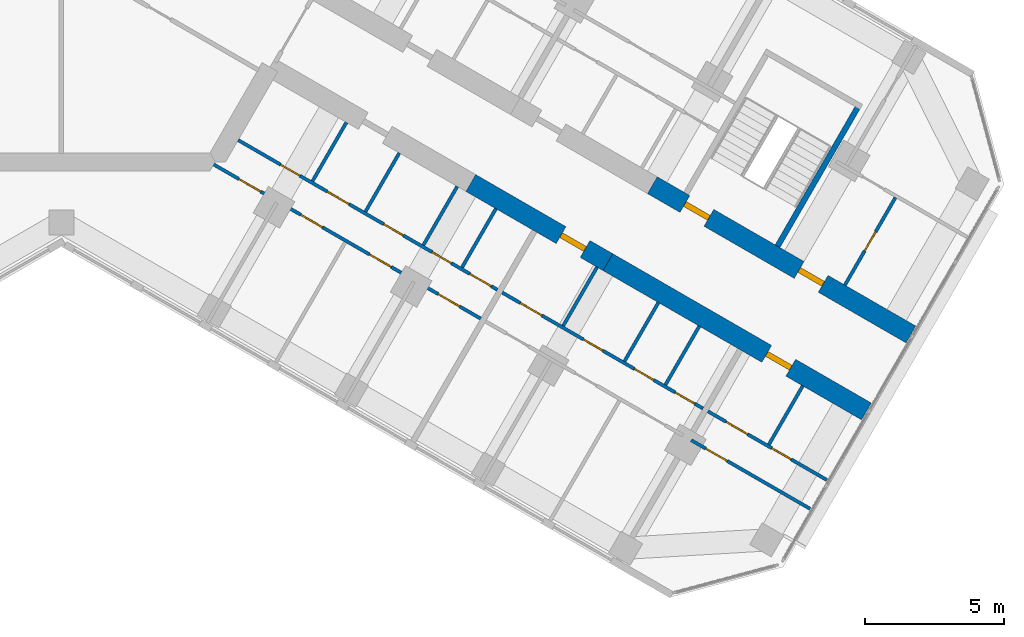
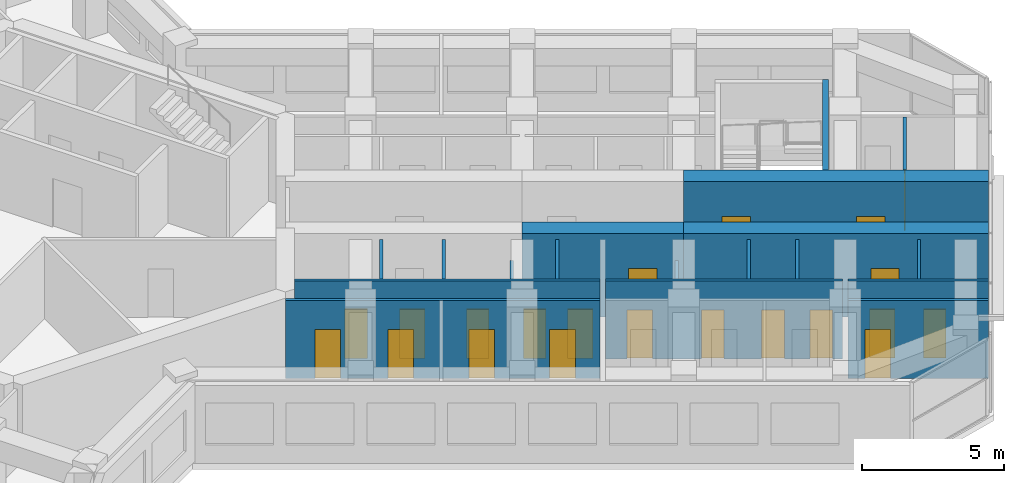
# One storey, part 11 of 16: 21 doors, 18 walls, 21 openings.
"""IFC4 building model written with IfcOpenShell, lengths in metres."""

from ifc_helpers import new_model, si_unit, direction, frame, frame_2d, origin, place, context, subcontext, project, spatial, rectangle, extrude, material, layer, layer_set, type_object, element, fill, save


model = new_model("IFC4")

# Units and contexts
model_context = context("Model", 3, precision=1e-05, world=origin(), true_north=direction((0.0, 1.0)))
body_context = subcontext(model_context, "Body", "Model", "MODEL_VIEW")
ifc_project = project(units=[si_unit("LENGTHUNIT", "METRE"), si_unit("AREAUNIT", "SQUARE_METRE"), si_unit("VOLUMEUNIT", "CUBIC_METRE"), si_unit("PLANEANGLEUNIT", "RADIAN"), si_unit("MASSUNIT", "GRAM", prefix="KILO")], contexts=[model_context])

# Site, building, storey
site_placement = place(None, origin())
site = spatial("IfcSite", under=ifc_project, at=site_placement, CompositionType="ELEMENT")
building_placement = place(site_placement, origin())
building = spatial("IfcBuilding", under=site, at=building_placement, Name="Kosmar Iwan School Tower", CompositionType="ELEMENT")
storey_placement = place(building_placement, frame((0.0, 0.0, 211.800048828125)))
storey = spatial("IfcBuildingStorey", under=building, at=storey_placement, Name="L53", CompositionType="ELEMENT", Elevation=211.800048828125)

# Wall, openings, doors
ifc_material_1 = material(Name="Concrete C50/60", Category="concrete")
ifc_layer_1 = layer(ifc_material_1, 0.699951171875)
ifc_layer_set_1 = layer_set([ifc_layer_1], Name="Corridor buttress wall 700")
wall_type_1 = type_object("IfcWallType", Name="Corridor buttress wall 700", PredefinedType="SHEAR", material=ifc_layer_set_1)
wall_1_placement = place(storey_placement, frame((21.281494140625, -10.439453125, 0.0), z_axis=(0.0, 0.0, 1.0), x_axis=(0.866032345022, -0.499987977232, 0.0)))
wall_1 = element("IfcWall", 1, at=wall_1_placement, inside=storey, type_object=wall_type_1, Name="Corridor wall CL bay 3", PredefinedType="SHEAR", context=body_context, shape_type="SweptSolid", body=[
    extrude(rectangle(XDim=10.744873046875, YDim=0.699951171875, at=frame_2d((5.37255859375, 0.0))), origin(), (0.0, 0.0, 1.0), 3.599853515625),
])
opening_1_placement = place(wall_1_placement, frame((6.10009765625, 0.0, 0.0)))
opening_1 = element("IfcOpeningElement", 2, at=opening_1_placement, cuts=wall_1, Name="Opening D1", PredefinedType="OPENING", context=body_context, shape_type="SweptSolid", body=[
    extrude(rectangle(XDim=1.0, YDim=2.10009765625, at=frame_2d((0.5, 1.050048828125))), frame((0.0, 0.362060546875, 0.0), z_axis=(0.0, -1.0, 0.0), x_axis=(1.0, 0.0, 0.0)), (0.0, 0.0, 1.0), 0.723876953125),
])
opening_2_placement = place(wall_1_placement, frame((1.35009765625, 0.0, 0.0)))
opening_2 = element("IfcOpeningElement", 3, at=opening_2_placement, cuts=wall_1, Name="Opening D6", PredefinedType="OPENING", context=body_context, shape_type="SweptSolid", body=[
    extrude(rectangle(XDim=1.0, YDim=2.10009765625, at=frame_2d((0.5, 1.050048828125))), frame((0.0, 0.362060546875, 0.0), z_axis=(0.0, -1.0, 0.0), x_axis=(1.0, 0.0, 0.0)), (0.0, 0.0, 1.0), 0.723876953125),
])
ifc_material_2 = material(Name="Timber fire door in steel frame", Category="steel")
door_type_1 = type_object("IfcDoorType", Name="Flat entrance door 1000x2100", OperationType="SINGLE_SWING_LEFT", PredefinedType="DOOR", material=ifc_material_2)
door_1_placement = place(opening_1_placement, origin())
door_1 = element("IfcDoor", 4, at=door_1_placement, inside=storey, type_object=door_type_1, Name="Flat L53-CL3 entrance door", OperationType="SINGLE_SWING_RIGHT", OverallHeight=2.10009765625, OverallWidth=1.0, PredefinedType="DOOR", context=body_context, shape_type="SweptSolid", body=[
    extrude(rectangle(XDim=1.0, YDim=2.10009765625, at=frame_2d((0.5, 1.050048828125))), frame((0.0, 0.10009765625, 0.0), z_axis=(0.0, -1.0, 0.0), x_axis=(1.0, 0.0, 0.0)), (0.0, 0.0, 1.0), 0.199951171875),
])
fill(opening_1, door_1)
ifc_material_3 = material(Name="Steel fire door", Category="steel")
door_type_2 = type_object("IfcDoorType", Name="Stair door 1000x2100", OperationType="SINGLE_SWING_LEFT", PredefinedType="DOOR", material=ifc_material_3)
door_2_placement = place(opening_2_placement, origin())
door_2 = element("IfcDoor", 5, at=door_2_placement, inside=storey, type_object=door_type_2, Name="Stair WS3 door L53", OperationType="SINGLE_SWING_LEFT", OverallHeight=2.10009765625, OverallWidth=1.0, PredefinedType="DOOR", context=body_context, shape_type="SweptSolid", body=[
    extrude(rectangle(XDim=1.0, YDim=2.10009765625, at=frame_2d((0.5, 1.050048828125))), frame((0.0, 0.10009765625, 0.0), z_axis=(0.0, -1.0, 0.0), x_axis=(1.0, 0.0, 0.0)), (0.0, 0.0, 1.0), 0.199951171875),
])
fill(opening_2, door_2)

# Wall, opening, door
wall_2_placement = place(storey_placement, frame((14.7451171875, -10.360595703125, 0.0), z_axis=(0.0, 0.0, 1.0), x_axis=(0.866015111908, -0.50001782563, 0.0)))
wall_2 = element("IfcWall", 6, at=wall_2_placement, inside=storey, type_object=wall_type_1, Name="Corridor wall CR bay 2", PredefinedType="SHEAR", context=body_context, shape_type="SweptSolid", body=[
    extrude(rectangle(XDim=5.699951171875, YDim=0.699951171875, at=frame_2d((2.85009765625, 0.0))), origin(), (0.0, 0.0, 1.0), 3.599853515625),
])
opening_3_placement = place(wall_2_placement, frame((3.75, 0.0, 0.0)))
opening_3 = element("IfcOpeningElement", 7, at=opening_3_placement, cuts=wall_2, Name="Opening D1", PredefinedType="OPENING", context=body_context, shape_type="SweptSolid", body=[
    extrude(rectangle(XDim=1.0, YDim=2.10009765625, at=frame_2d((0.5, 1.050048828125))), frame((0.0, 0.362060546875, 0.0), z_axis=(0.0, -1.0, 0.0), x_axis=(1.0, 0.0, 0.0)), (0.0, 0.0, 1.0), 0.723876953125),
])
door_3_placement = place(opening_3_placement, origin())
door_3 = element("IfcDoor", 8, at=door_3_placement, inside=storey, type_object=door_type_1, Name="Flat L53-CR2 entrance door", OperationType="SINGLE_SWING_RIGHT", OverallHeight=2.10009765625, OverallWidth=1.0, PredefinedType="DOOR", context=body_context, shape_type="SweptSolid", body=[
    extrude(rectangle(XDim=1.0, YDim=2.10009765625, at=frame_2d((0.5, 1.050048828125))), frame((0.0, 0.10009765625, 0.0), z_axis=(0.0, -1.0, 0.0), x_axis=(1.0, 0.0, 0.0)), (0.0, 0.0, 1.0), 0.199951171875),
])
fill(opening_3, door_3)

wall_3_placement = place(storey_placement, frame((19.681396484375, -13.210693359375, 0.0), z_axis=(0.0, 0.0, 1.0), x_axis=(0.866028186671, -0.499995179869, 0.0)))
wall_3 = element("IfcWall", 9, at=wall_3_placement, inside=storey, type_object=wall_type_1, Name="Corridor wall CR bay 3", PredefinedType="SHEAR", context=body_context, shape_type="SweptSolid", body=[
    extrude(rectangle(XDim=10.7451171875, YDim=0.699951171875, at=frame_2d((5.37255859375, 0.0))), origin(), (0.0, 0.0, 1.0), 3.599853515625),
])
opening_4_placement = place(wall_3_placement, frame((6.60009765625, 0.0, 0.0)))
opening_4 = element("IfcOpeningElement", 10, at=opening_4_placement, cuts=wall_3, Name="Opening D1", PredefinedType="OPENING", context=body_context, shape_type="SweptSolid", body=[
    extrude(rectangle(XDim=1.0, YDim=2.10009765625, at=frame_2d((0.5, 1.050048828125))), frame((0.0, 0.362060546875, 0.0), z_axis=(0.0, -1.0, 0.0), x_axis=(1.0, 0.0, 0.0)), (0.0, 0.0, 1.0), 0.723876953125),
])
door_4_placement = place(opening_4_placement, origin())
door_4 = element("IfcDoor", 11, at=door_4_placement, inside=storey, type_object=door_type_1, Name="Flat L53-CR3 entrance door", OperationType="SINGLE_SWING_RIGHT", OverallHeight=2.10009765625, OverallWidth=1.0, PredefinedType="DOOR", context=body_context, shape_type="SweptSolid", body=[
    extrude(rectangle(XDim=1.0, YDim=2.10009765625, at=frame_2d((0.5, 1.050048828125))), frame((0.0, 0.10009765625, 0.0), z_axis=(0.0, -1.0, 0.0), x_axis=(1.0, 0.0, 0.0)), (0.0, 0.0, 1.0), 0.199951171875),
])
fill(opening_4, door_4)

ifc_material_4 = material(Name="Gypsum board on steel studs", Category="steel")
ifc_layer_2 = layer(ifc_material_4, 0.1201171875)
ifc_layer_set_2 = layer_set([ifc_layer_2], Name="Dwelling partition 120")
wall_type_2 = type_object("IfcWallType", Name="Dwelling partition 120", PredefinedType="PARTITIONING", material=ifc_layer_set_2)
wall_4_placement = place(storey_placement, frame((28.21142578125, -14.036376953125, 0.0), z_axis=(0.0, 0.0, 1.0), x_axis=(0.499983701346, 0.866034813612, 0.0)))
wall_4 = element("IfcWall", 12, at=wall_4_placement, inside=storey, type_object=wall_type_2, Name="Partition L53-CL3-TY", PredefinedType="PARTITIONING", context=body_context, shape_type="SweptSolid", body=[
    extrude(rectangle(XDim=3.64013671875, YDim=0.1201171875, at=frame_2d((1.820068359375, 0.0))), origin(), (0.0, 0.0, 1.0), 3.349853515625),
])
opening_5_placement = place(wall_4_placement, frame((1.419921875, 0.0, 0.0)))
opening_5 = element("IfcOpeningElement", 13, at=opening_5_placement, cuts=wall_4, Name="Opening D3", PredefinedType="OPENING", context=body_context, shape_type="SweptSolid", body=[
    extrude(rectangle(XDim=0.800048828125, YDim=2.10009765625, at=frame_2d((0.39990234375, 1.050048828125))), frame((0.0, 0.072021484375, 0.0), z_axis=(0.0, -1.0, 0.0), x_axis=(1.0, 0.0, 0.0)), (0.0, 0.0, 1.0), 0.14404296875),
])
ifc_material_5 = material(Name="Timber door in timber frame", Category="wood")
door_type_3 = type_object("IfcDoorType", Name="Sanitary room door 800x2100", OperationType="SINGLE_SWING_LEFT", PredefinedType="DOOR", material=ifc_material_5)
door_5_placement = place(opening_5_placement, origin())
door_5 = element("IfcDoor", 14, at=door_5_placement, inside=storey, type_object=door_type_3, Name="Bathroom door L53-CL3-T4", OperationType="SINGLE_SWING_LEFT", OverallHeight=2.10009765625, OverallWidth=0.800048828125, PredefinedType="DOOR", context=body_context, shape_type="SweptSolid", body=[
    extrude(rectangle(XDim=0.800048828125, YDim=2.10009765625, at=frame_2d((0.39990234375, 1.050048828125))), frame((0.0, 0.02490234375, 0.0), z_axis=(0.0, -1.0, 0.0), x_axis=(1.0, 0.0, 0.0)), (0.0, 0.0, 1.0), 0.050048828125),
])
fill(opening_5, door_5)

# Wall, openings, doors
wall_5_placement = place(storey_placement, frame((6.370361328125, -8.81640625, 0.0), z_axis=(0.0, 0.0, 1.0), x_axis=(0.86602446816, -0.500001620546, 0.0)))
wall_5 = element("IfcWall", 15, at=wall_5_placement, inside=storey, type_object=wall_type_2, Name="Partition L53-CR1-W1", PredefinedType="PARTITIONING", context=body_context, shape_type="SweptSolid", body=[
    extrude(rectangle(XDim=10.77490234375, YDim=0.1201171875, at=frame_2d((5.387451171875, 0.0))), origin(), (0.0, 0.0, 1.0), 3.349853515625),
])
opening_6_placement = place(wall_5_placement, frame((1.764892578125, 0.0, 0.0)))
opening_6 = element("IfcOpeningElement", 16, at=opening_6_placement, cuts=wall_5, Name="Opening D3", PredefinedType="OPENING", context=body_context, shape_type="SweptSolid", body=[
    extrude(rectangle(XDim=0.800048828125, YDim=2.10009765625, at=frame_2d((0.39990234375, 1.050048828125))), frame((0.0, 0.072021484375, 0.0), z_axis=(0.0, -1.0, 0.0), x_axis=(1.0, 0.0, 0.0)), (0.0, 0.0, 1.0), 0.14404296875),
])
opening_7_placement = place(wall_5_placement, frame((3.705078125, 0.0, 0.0)))
opening_7 = element("IfcOpeningElement", 17, at=opening_7_placement, cuts=wall_5, Name="Opening D2", PredefinedType="OPENING", context=body_context, shape_type="SweptSolid", body=[
    extrude(rectangle(XDim=0.89990234375, YDim=2.10009765625, at=frame_2d((0.449951171875, 1.050048828125))), frame((0.0, 0.072021484375, 0.0), z_axis=(0.0, -1.0, 0.0), x_axis=(1.0, 0.0, 0.0)), (0.0, 0.0, 1.0), 0.14404296875),
])
opening_8_placement = place(wall_5_placement, frame((6.059326171875, 0.0, 0.0)))
opening_8 = element("IfcOpeningElement", 18, at=opening_8_placement, cuts=wall_5, Name="Opening D3", PredefinedType="OPENING", context=body_context, shape_type="SweptSolid", body=[
    extrude(rectangle(XDim=0.800048828125, YDim=2.10009765625, at=frame_2d((0.39990234375, 1.050048828125))), frame((0.0, 0.072021484375, 0.0), z_axis=(0.0, -1.0, 0.0), x_axis=(1.0, 0.0, 0.0)), (0.0, 0.0, 1.0), 0.14404296875),
])
opening_9_placement = place(wall_5_placement, frame((8.06640625, 0.0, 0.0)))
opening_9 = element("IfcOpeningElement", 19, at=opening_9_placement, cuts=wall_5, Name="Opening D3", PredefinedType="OPENING", context=body_context, shape_type="SweptSolid", body=[
    extrude(rectangle(XDim=0.800048828125, YDim=2.10009765625, at=frame_2d((0.39990234375, 1.050048828125))), frame((0.0, 0.072021484375, 0.0), z_axis=(0.0, -1.0, 0.0), x_axis=(1.0, 0.0, 0.0)), (0.0, 0.0, 1.0), 0.14404296875),
])
opening_10_placement = place(wall_5_placement, frame((9.6220703125, 0.0, 0.0)))
opening_10 = element("IfcOpeningElement", 20, at=opening_10_placement, cuts=wall_5, Name="Opening D2", PredefinedType="OPENING", context=body_context, shape_type="SweptSolid", body=[
    extrude(rectangle(XDim=0.89990234375, YDim=2.10009765625, at=frame_2d((0.449951171875, 1.050048828125))), frame((0.0, 0.072021484375, 0.0), z_axis=(0.0, -1.0, 0.0), x_axis=(1.0, 0.0, 0.0)), (0.0, 0.0, 1.0), 0.14404296875),
])
ifc_material_6 = material(Name="Timber door in timber frame", Category="wood")
door_type_4 = type_object("IfcDoorType", Name="Internal door 900x2100", OperationType="SINGLE_SWING_LEFT", PredefinedType="DOOR", material=ifc_material_6)
door_6_placement = place(opening_7_placement, origin())
door_6 = element("IfcDoor", 21, at=door_6_placement, inside=storey, type_object=door_type_4, Name="Entrance hall door L53-CR1-S2", OperationType="SINGLE_SWING_RIGHT", OverallHeight=2.10009765625, OverallWidth=0.89990234375, PredefinedType="DOOR", context=body_context, shape_type="SweptSolid", body=[
    extrude(rectangle(XDim=0.89990234375, YDim=2.10009765625, at=frame_2d((0.449951171875, 1.050048828125))), frame((0.0, 0.02490234375, 0.0), z_axis=(0.0, -1.0, 0.0), x_axis=(1.0, 0.0, 0.0)), (0.0, 0.0, 1.0), 0.050048828125),
])
fill(opening_7, door_6)
door_7_placement = place(opening_10_placement, origin())
door_7 = element("IfcDoor", 22, at=door_7_placement, inside=storey, type_object=door_type_4, Name="Pantry door L53-CR1-S5", OperationType="SINGLE_SWING_RIGHT", OverallHeight=2.10009765625, OverallWidth=0.89990234375, PredefinedType="DOOR", context=body_context, shape_type="SweptSolid", body=[
    extrude(rectangle(XDim=0.89990234375, YDim=2.10009765625, at=frame_2d((0.449951171875, 1.050048828125))), frame((0.0, 0.02490234375, 0.0), z_axis=(0.0, -1.0, 0.0), x_axis=(1.0, 0.0, 0.0)), (0.0, 0.0, 1.0), 0.050048828125),
])
fill(opening_10, door_7)
door_8_placement = place(opening_6_placement, origin())
door_8 = element("IfcDoor", 23, at=door_8_placement, inside=storey, type_object=door_type_3, Name="Shower room door L53-CR1-S1", OperationType="SINGLE_SWING_RIGHT", OverallHeight=2.10009765625, OverallWidth=0.800048828125, PredefinedType="DOOR", context=body_context, shape_type="SweptSolid", body=[
    extrude(rectangle(XDim=0.800048828125, YDim=2.10009765625, at=frame_2d((0.39990234375, 1.050048828125))), frame((0.0, 0.02490234375, 0.0), z_axis=(0.0, -1.0, 0.0), x_axis=(1.0, 0.0, 0.0)), (0.0, 0.0, 1.0), 0.050048828125),
])
fill(opening_6, door_8)
door_9_placement = place(opening_8_placement, origin())
door_9 = element("IfcDoor", 24, at=door_9_placement, inside=storey, type_object=door_type_3, Name="Bathroom door L53-CR1-S3", OperationType="SINGLE_SWING_LEFT", OverallHeight=2.10009765625, OverallWidth=0.800048828125, PredefinedType="DOOR", context=body_context, shape_type="SweptSolid", body=[
    extrude(rectangle(XDim=0.800048828125, YDim=2.10009765625, at=frame_2d((0.39990234375, 1.050048828125))), frame((0.0, 0.02490234375, 0.0), z_axis=(0.0, -1.0, 0.0), x_axis=(1.0, 0.0, 0.0)), (0.0, 0.0, 1.0), 0.050048828125),
])
fill(opening_8, door_9)
door_10_placement = place(opening_9_placement, origin())
door_10 = element("IfcDoor", 25, at=door_10_placement, inside=storey, type_object=door_type_3, Name="Grandparents' shower room door L53-CR1-S4", OperationType="SINGLE_SWING_RIGHT", OverallHeight=2.10009765625, OverallWidth=0.800048828125, PredefinedType="DOOR", context=body_context, shape_type="SweptSolid", body=[
    extrude(rectangle(XDim=0.800048828125, YDim=2.10009765625, at=frame_2d((0.39990234375, 1.050048828125))), frame((0.0, 0.02490234375, 0.0), z_axis=(0.0, -1.0, 0.0), x_axis=(1.0, 0.0, 0.0)), (0.0, 0.0, 1.0), 0.050048828125),
])
fill(opening_9, door_10)

wall_6_placement = place(storey_placement, frame((5.48876953125, -9.693115234375, 0.0), z_axis=(0.0, 0.0, 1.0), x_axis=(0.866026992824, -0.499997247692, 0.0)))
wall_6 = element("IfcWall", 26, at=wall_6_placement, inside=storey, type_object=wall_type_2, Name="Partition L53-CR1-W2", PredefinedType="PARTITIONING", context=body_context, shape_type="SweptSolid", body=[
    extrude(rectangle(XDim=11.10009765625, YDim=0.1201171875, at=frame_2d((5.550048828125, 0.0))), origin(), (0.0, 0.0, 1.0), 3.349853515625),
])
opening_11_placement = place(wall_6_placement, frame((1.050048828125, 0.0, 0.0)))
opening_11 = element("IfcOpeningElement", 27, at=opening_11_placement, cuts=wall_6, Name="Opening D2", PredefinedType="OPENING", context=body_context, shape_type="SweptSolid", body=[
    extrude(rectangle(XDim=0.89990234375, YDim=2.10009765625, at=frame_2d((0.449951171875, 1.050048828125))), frame((0.0, 0.072021484375, 0.0), z_axis=(0.0, -1.0, 0.0), x_axis=(1.0, 0.0, 0.0)), (0.0, 0.0, 1.0), 0.14404296875),
])
opening_12_placement = place(wall_6_placement, frame((3.625, 0.0, 0.0)))
opening_12 = element("IfcOpeningElement", 28, at=opening_12_placement, cuts=wall_6, Name="Opening D2", PredefinedType="OPENING", context=body_context, shape_type="SweptSolid", body=[
    extrude(rectangle(XDim=0.89990234375, YDim=2.10009765625, at=frame_2d((0.449951171875, 1.050048828125))), frame((0.0, 0.072021484375, 0.0), z_axis=(0.0, -1.0, 0.0), x_axis=(1.0, 0.0, 0.0)), (0.0, 0.0, 1.0), 0.14404296875),
])
opening_13_placement = place(wall_6_placement, frame((6.47509765625, 0.0, 0.0)))
opening_13 = element("IfcOpeningElement", 29, at=opening_13_placement, cuts=wall_6, Name="Opening D2", PredefinedType="OPENING", context=body_context, shape_type="SweptSolid", body=[
    extrude(rectangle(XDim=0.89990234375, YDim=2.10009765625, at=frame_2d((0.449951171875, 1.050048828125))), frame((0.0, 0.072021484375, 0.0), z_axis=(0.0, -1.0, 0.0), x_axis=(1.0, 0.0, 0.0)), (0.0, 0.0, 1.0), 0.14404296875),
])
opening_14_placement = place(wall_6_placement, frame((9.324951171875, 0.0, 0.0)))
opening_14 = element("IfcOpeningElement", 30, at=opening_14_placement, cuts=wall_6, Name="Opening D2", PredefinedType="OPENING", context=body_context, shape_type="SweptSolid", body=[
    extrude(rectangle(XDim=0.89990234375, YDim=2.10009765625, at=frame_2d((0.449951171875, 1.050048828125))), frame((0.0, 0.072021484375, 0.0), z_axis=(0.0, -1.0, 0.0), x_axis=(1.0, 0.0, 0.0)), (0.0, 0.0, 1.0), 0.14404296875),
])
door_11_placement = place(opening_11_placement, origin())
door_11 = element("IfcDoor", 31, at=door_11_placement, inside=storey, type_object=door_type_4, Name="Living room and kitchen door L53-CR1-F1", OperationType="SINGLE_SWING_LEFT", OverallHeight=2.10009765625, OverallWidth=0.89990234375, PredefinedType="DOOR", context=body_context, shape_type="SweptSolid", body=[
    extrude(rectangle(XDim=0.89990234375, YDim=2.10009765625, at=frame_2d((0.449951171875, 1.050048828125))), frame((0.0, 0.02490234375, 0.0), z_axis=(0.0, -1.0, 0.0), x_axis=(1.0, 0.0, 0.0)), (0.0, 0.0, 1.0), 0.050048828125),
])
fill(opening_11, door_11)
door_12_placement = place(opening_12_placement, origin())
door_12 = element("IfcDoor", 32, at=door_12_placement, inside=storey, type_object=door_type_4, Name="Study door L53-CR1-F2", OperationType="SINGLE_SWING_LEFT", OverallHeight=2.10009765625, OverallWidth=0.89990234375, PredefinedType="DOOR", context=body_context, shape_type="SweptSolid", body=[
    extrude(rectangle(XDim=0.89990234375, YDim=2.10009765625, at=frame_2d((0.449951171875, 1.050048828125))), frame((0.0, 0.02490234375, 0.0), z_axis=(0.0, -1.0, 0.0), x_axis=(1.0, 0.0, 0.0)), (0.0, 0.0, 1.0), 0.050048828125),
])
fill(opening_12, door_12)
door_13_placement = place(opening_13_placement, origin())
door_13 = element("IfcDoor", 33, at=door_13_placement, inside=storey, type_object=door_type_4, Name="Bedroom 1 door L53-CR1-F3", OperationType="SINGLE_SWING_RIGHT", OverallHeight=2.10009765625, OverallWidth=0.89990234375, PredefinedType="DOOR", context=body_context, shape_type="SweptSolid", body=[
    extrude(rectangle(XDim=0.89990234375, YDim=2.10009765625, at=frame_2d((0.449951171875, 1.050048828125))), frame((0.0, 0.02490234375, 0.0), z_axis=(0.0, -1.0, 0.0), x_axis=(1.0, 0.0, 0.0)), (0.0, 0.0, 1.0), 0.050048828125),
])
fill(opening_13, door_13)
door_14_placement = place(opening_14_placement, origin())
door_14 = element("IfcDoor", 34, at=door_14_placement, inside=storey, type_object=door_type_4, Name="Grandparents' suite door L53-CR1-F4", OperationType="SINGLE_SWING_RIGHT", OverallHeight=2.10009765625, OverallWidth=0.89990234375, PredefinedType="DOOR", context=body_context, shape_type="SweptSolid", body=[
    extrude(rectangle(XDim=0.89990234375, YDim=2.10009765625, at=frame_2d((0.449951171875, 1.050048828125))), frame((0.0, 0.02490234375, 0.0), z_axis=(0.0, -1.0, 0.0), x_axis=(1.0, 0.0, 0.0)), (0.0, 0.0, 1.0), 0.050048828125),
])
fill(opening_14, door_14)

# Walls
for number, where, z_axis, x_axis, name in (
    (35, (10.26611328125, -8.1787109375, 0.0), (0.0, 0.0, 1.0), (-0.500077547548, -0.865980627057, 0.0), "Partition L53-CR1-Y1"),
    (36, (12.17138671875, -9.27880859375, 0.0), (0.0, 0.0, 1.0), (-0.500077547548, -0.865980627057, 0.0), "Partition L53-CR1-Y2"),
):
    element("IfcWall", number, at=place(storey_placement, frame(where, z_axis=z_axis, x_axis=x_axis)), inside=storey, type_object=wall_type_2, Name=name, PredefinedType="PARTITIONING", context=body_context, shape_type="SweptSolid", body=[
        extrude(rectangle(XDim=2.43994140625, YDim=0.1201171875, at=frame_2d((1.219970703125, 0.0))), origin(), (0.0, 0.0, 1.0), 3.349853515625),
    ])
wall_7_placement = place(storey_placement, frame((14.257080078125, -10.48291015625, 0.0), z_axis=(0.0, 0.0, 1.0), x_axis=(-0.499959183527, -0.866048967903, 0.0)))
element("IfcWall", 37, at=wall_7_placement, inside=storey, type_object=wall_type_2, Name="Partition L53-CR1-Y3", PredefinedType="PARTITIONING", context=body_context, shape_type="SweptSolid", body=[
    extrude(rectangle(XDim=2.440185546875, YDim=0.1201171875, at=frame_2d((1.22021484375, 0.0))), origin(), (0.0, 0.0, 1.0), 2.449951171875),
])
wall_8_placement = place(storey_placement, frame((15.647705078125, -11.285888671875, 0.0), z_axis=(0.0, 0.0, 1.0), x_axis=(-0.500002508028, -0.866023955769, 0.0)))
element("IfcWall", 38, at=wall_8_placement, inside=storey, type_object=wall_type_2, Name="Partition L53-CR1-Y4", PredefinedType="PARTITIONING", context=body_context, shape_type="SweptSolid", body=[
    extrude(rectangle(XDim=2.43994140625, YDim=0.1201171875, at=frame_2d((1.219970703125, 0.0))), origin(), (0.0, 0.0, 1.0), 3.349853515625),
])

# Wall, openings, doors
wall_9_placement = place(storey_placement, frame((15.875, -14.3037109375, 0.0), z_axis=(0.0, 0.0, 1.0), x_axis=(0.866019549707, -0.500010139422, 0.0)))
wall_9 = element("IfcWall", 39, at=wall_9_placement, inside=storey, type_object=wall_type_2, Name="Partition L53-CR2-W1", PredefinedType="PARTITIONING", context=body_context, shape_type="SweptSolid", body=[
    extrude(rectangle(XDim=8.349853515625, YDim=0.1201171875, at=frame_2d((4.1748046875, 0.0))), origin(), (0.0, 0.0, 1.0), 3.349853515625),
])
opening_15_placement = place(wall_9_placement, frame((0.75, 0.0, 0.0)))
opening_15 = element("IfcOpeningElement", 40, at=opening_15_placement, cuts=wall_9, Name="Opening D2", PredefinedType="OPENING", context=body_context, shape_type="SweptSolid", body=[
    extrude(rectangle(XDim=0.89990234375, YDim=2.10009765625, at=frame_2d((0.449951171875, 1.050048828125))), frame((0.0, 0.072021484375, 0.0), z_axis=(0.0, -1.0, 0.0), x_axis=(1.0, 0.0, 0.0)), (0.0, 0.0, 1.0), 0.14404296875),
])
opening_16_placement = place(wall_9_placement, frame((3.375, 0.0, 0.0)))
opening_16 = element("IfcOpeningElement", 41, at=opening_16_placement, cuts=wall_9, Name="Opening D3", PredefinedType="OPENING", context=body_context, shape_type="SweptSolid", body=[
    extrude(rectangle(XDim=0.800048828125, YDim=2.10009765625, at=frame_2d((0.39990234375, 1.050048828125))), frame((0.0, 0.072021484375, 0.0), z_axis=(0.0, -1.0, 0.0), x_axis=(1.0, 0.0, 0.0)), (0.0, 0.0, 1.0), 0.14404296875),
])
opening_17_placement = place(wall_9_placement, frame((5.5, 0.0, 0.0)))
opening_17 = element("IfcOpeningElement", 42, at=opening_17_placement, cuts=wall_9, Name="Opening D3", PredefinedType="OPENING", context=body_context, shape_type="SweptSolid", body=[
    extrude(rectangle(XDim=0.800048828125, YDim=2.10009765625, at=frame_2d((0.39990234375, 1.050048828125))), frame((0.0, 0.072021484375, 0.0), z_axis=(0.0, -1.0, 0.0), x_axis=(1.0, 0.0, 0.0)), (0.0, 0.0, 1.0), 0.14404296875),
])
opening_18_placement = place(wall_9_placement, frame((7.199951171875, 0.0, 0.0)))
opening_18 = element("IfcOpeningElement", 43, at=opening_18_placement, cuts=wall_9, Name="Opening D3", PredefinedType="OPENING", context=body_context, shape_type="SweptSolid", body=[
    extrude(rectangle(XDim=0.800048828125, YDim=2.10009765625, at=frame_2d((0.39990234375, 1.050048828125))), frame((0.0, 0.072021484375, 0.0), z_axis=(0.0, -1.0, 0.0), x_axis=(1.0, 0.0, 0.0)), (0.0, 0.0, 1.0), 0.14404296875),
])
door_15_placement = place(opening_15_placement, origin())
door_15 = element("IfcDoor", 44, at=door_15_placement, inside=storey, type_object=door_type_4, Name="Entrance hall door L53-CR2-S1", OperationType="SINGLE_SWING_LEFT", OverallHeight=2.10009765625, OverallWidth=0.89990234375, PredefinedType="DOOR", context=body_context, shape_type="SweptSolid", body=[
    extrude(rectangle(XDim=0.89990234375, YDim=2.10009765625, at=frame_2d((0.449951171875, 1.050048828125))), frame((0.0, 0.02490234375, 0.0), z_axis=(0.0, -1.0, 0.0), x_axis=(1.0, 0.0, 0.0)), (0.0, 0.0, 1.0), 0.050048828125),
])
fill(opening_15, door_15)
door_16_placement = place(opening_16_placement, origin())
door_16 = element("IfcDoor", 45, at=door_16_placement, inside=storey, type_object=door_type_3, Name="Bathroom door L53-CR2-S2", OperationType="SINGLE_SWING_RIGHT", OverallHeight=2.10009765625, OverallWidth=0.800048828125, PredefinedType="DOOR", context=body_context, shape_type="SweptSolid", body=[
    extrude(rectangle(XDim=0.800048828125, YDim=2.10009765625, at=frame_2d((0.39990234375, 1.050048828125))), frame((0.0, 0.02490234375, 0.0), z_axis=(0.0, -1.0, 0.0), x_axis=(1.0, 0.0, 0.0)), (0.0, 0.0, 1.0), 0.050048828125),
])
fill(opening_16, door_16)
door_17_placement = place(opening_17_placement, origin())
door_17 = element("IfcDoor", 46, at=door_17_placement, inside=storey, type_object=door_type_3, Name="Grandparents' shower room door L53-CR2-S3", OperationType="SINGLE_SWING_LEFT", OverallHeight=2.10009765625, OverallWidth=0.800048828125, PredefinedType="DOOR", context=body_context, shape_type="SweptSolid", body=[
    extrude(rectangle(XDim=0.800048828125, YDim=2.10009765625, at=frame_2d((0.39990234375, 1.050048828125))), frame((0.0, 0.02490234375, 0.0), z_axis=(0.0, -1.0, 0.0), x_axis=(1.0, 0.0, 0.0)), (0.0, 0.0, 1.0), 0.050048828125),
])
fill(opening_17, door_17)
door_18_placement = place(opening_18_placement, origin())
door_18 = element("IfcDoor", 47, at=door_18_placement, inside=storey, type_object=door_type_3, Name="Shower room door L53-CR2-S4", OperationType="SINGLE_SWING_RIGHT", OverallHeight=2.10009765625, OverallWidth=0.800048828125, PredefinedType="DOOR", context=body_context, shape_type="SweptSolid", body=[
    extrude(rectangle(XDim=0.800048828125, YDim=2.10009765625, at=frame_2d((0.39990234375, 1.050048828125))), frame((0.0, 0.02490234375, 0.0), z_axis=(0.0, -1.0, 0.0), x_axis=(1.0, 0.0, 0.0)), (0.0, 0.0, 1.0), 0.050048828125),
])
fill(opening_18, door_18)

# Walls
wall_10_placement = place(storey_placement, frame((19.2900390625, -13.388671875, 0.0), z_axis=(0.0, 0.0, 1.0), x_axis=(-0.499959183527, -0.866048967903, 0.0)))
element("IfcWall", 48, at=wall_10_placement, inside=storey, type_object=wall_type_2, Name="Partition L53-CR2-Y1", PredefinedType="PARTITIONING", context=body_context, shape_type="SweptSolid", body=[
    extrude(rectangle(XDim=2.440185546875, YDim=0.1201171875, at=frame_2d((1.22021484375, 0.0))), origin(), (0.0, 0.0, 1.0), 2.449951171875),
])
wall_11_placement = place(storey_placement, frame((21.498291015625, -14.663818359375, 0.0), z_axis=(0.0, 0.0, 1.0), x_axis=(-0.500002508028, -0.866023955769, 0.0)))
element("IfcWall", 49, at=wall_11_placement, inside=storey, type_object=wall_type_2, Name="Partition L53-CR2-Y2", PredefinedType="PARTITIONING", context=body_context, shape_type="SweptSolid", body=[
    extrude(rectangle(XDim=2.43994140625, YDim=0.1201171875, at=frame_2d((1.219970703125, 0.0))), origin(), (0.0, 0.0, 1.0), 3.349853515625),
])
wall_12_placement = place(storey_placement, frame((22.970703125, -15.513671875, 0.0), z_axis=(0.0, 0.0, 1.0), x_axis=(-0.500034220881, -0.866005645448, 0.0)))
element("IfcWall", 50, at=wall_12_placement, inside=storey, type_object=wall_type_2, Name="Partition L53-CR2-Y3", PredefinedType="PARTITIONING", context=body_context, shape_type="SweptSolid", body=[
    extrude(rectangle(XDim=2.440185546875, YDim=0.1201171875, at=frame_2d((1.22021484375, 0.0))), origin(), (0.0, 0.0, 1.0), 3.349853515625),
])

# Wall, openings, doors
wall_13_placement = place(storey_placement, frame((23.279541015625, -18.578857421875, 0.0), z_axis=(0.0, 0.0, 1.0), x_axis=(0.866031840221, -0.4999888516, 0.0)))
wall_13 = element("IfcWall", 51, at=wall_13_placement, inside=storey, type_object=wall_type_2, Name="Partition L53-CR3-W1", PredefinedType="PARTITIONING", context=body_context, shape_type="SweptSolid", body=[
    extrude(rectangle(XDim=4.94482421875, YDim=0.1201171875, at=frame_2d((2.472412109375, 0.0))), origin(), (0.0, 0.0, 1.0), 3.349853515625),
])
opening_19_placement = place(wall_13_placement, frame((0.75, 0.0, 0.0)))
opening_19 = element("IfcOpeningElement", 52, at=opening_19_placement, cuts=wall_13, Name="Opening D2", PredefinedType="OPENING", context=body_context, shape_type="SweptSolid", body=[
    extrude(rectangle(XDim=0.89990234375, YDim=2.10009765625, at=frame_2d((0.449951171875, 1.050048828125))), frame((0.0, 0.072021484375, 0.0), z_axis=(0.0, -1.0, 0.0), x_axis=(1.0, 0.0, 0.0)), (0.0, 0.0, 1.0), 0.14404296875),
])
opening_20_placement = place(wall_13_placement, frame((2.659912109375, 0.0, 0.0)))
opening_20 = element("IfcOpeningElement", 53, at=opening_20_placement, cuts=wall_13, Name="Opening D3", PredefinedType="OPENING", context=body_context, shape_type="SweptSolid", body=[
    extrude(rectangle(XDim=0.800048828125, YDim=2.10009765625, at=frame_2d((0.39990234375, 1.050048828125))), frame((0.0, 0.072021484375, 0.0), z_axis=(0.0, -1.0, 0.0), x_axis=(1.0, 0.0, 0.0)), (0.0, 0.0, 1.0), 0.14404296875),
])
door_19_placement = place(opening_19_placement, origin())
door_19 = element("IfcDoor", 54, at=door_19_placement, inside=storey, type_object=door_type_4, Name="Entrance hall door L53-CR3-S1", OperationType="SINGLE_SWING_RIGHT", OverallHeight=2.10009765625, OverallWidth=0.89990234375, PredefinedType="DOOR", context=body_context, shape_type="SweptSolid", body=[
    extrude(rectangle(XDim=0.89990234375, YDim=2.10009765625, at=frame_2d((0.449951171875, 1.050048828125))), frame((0.0, 0.02490234375, 0.0), z_axis=(0.0, -1.0, 0.0), x_axis=(1.0, 0.0, 0.0)), (0.0, 0.0, 1.0), 0.050048828125),
])
fill(opening_19, door_19)
door_20_placement = place(opening_20_placement, origin())
door_20 = element("IfcDoor", 55, at=door_20_placement, inside=storey, type_object=door_type_3, Name="Bathroom door L53-CR3-S2", OperationType="SINGLE_SWING_LEFT", OverallHeight=2.10009765625, OverallWidth=0.800048828125, PredefinedType="DOOR", context=body_context, shape_type="SweptSolid", body=[
    extrude(rectangle(XDim=0.800048828125, YDim=2.10009765625, at=frame_2d((0.39990234375, 1.050048828125))), frame((0.0, 0.02490234375, 0.0), z_axis=(0.0, -1.0, 0.0), x_axis=(1.0, 0.0, 0.0)), (0.0, 0.0, 1.0), 0.050048828125),
])
fill(opening_20, door_20)

# Wall, opening, door
wall_14_placement = place(storey_placement, frame((22.679443359375, -19.6181640625, 0.0), z_axis=(0.0, 0.0, 1.0), x_axis=(0.866031840221, -0.4999888516, 0.0)))
wall_14 = element("IfcWall", 56, at=wall_14_placement, inside=storey, type_object=wall_type_2, Name="Partition L53-CR3-W2", PredefinedType="PARTITIONING", context=body_context, shape_type="SweptSolid", body=[
    extrude(rectangle(XDim=4.94482421875, YDim=0.1201171875, at=frame_2d((2.472412109375, 0.0))), origin(), (0.0, 0.0, 1.0), 3.349853515625),
])
opening_21_placement = place(wall_14_placement, frame((0.60009765625, 0.0, 0.0)))
opening_21 = element("IfcOpeningElement", 57, at=opening_21_placement, cuts=wall_14, Name="Opening D2", PredefinedType="OPENING", context=body_context, shape_type="SweptSolid", body=[
    extrude(rectangle(XDim=0.89990234375, YDim=2.10009765625, at=frame_2d((0.449951171875, 1.050048828125))), frame((0.0, 0.072021484375, 0.0), z_axis=(0.0, -1.0, 0.0), x_axis=(1.0, 0.0, 0.0)), (0.0, 0.0, 1.0), 0.14404296875),
])
door_21_placement = place(opening_21_placement, origin())
door_21 = element("IfcDoor", 58, at=door_21_placement, inside=storey, type_object=door_type_4, Name="Studio living room and kitchen door L53-CR3-F1", OperationType="SINGLE_SWING_LEFT", OverallHeight=2.10009765625, OverallWidth=0.89990234375, PredefinedType="DOOR", context=body_context, shape_type="SweptSolid", body=[
    extrude(rectangle(XDim=0.89990234375, YDim=2.10009765625, at=frame_2d((0.449951171875, 1.050048828125))), frame((0.0, 0.02490234375, 0.0), z_axis=(0.0, -1.0, 0.0), x_axis=(1.0, 0.0, 0.0)), (0.0, 0.0, 1.0), 0.050048828125),
])
fill(opening_21, door_21)

# Walls
wall_15_placement = place(storey_placement, frame((26.694580078125, -17.663818359375, 0.0), z_axis=(0.0, 0.0, 1.0), x_axis=(-0.500002508028, -0.866023955769, 0.0)))
element("IfcWall", 59, at=wall_15_placement, inside=storey, type_object=wall_type_2, Name="Partition L53-CR3-Y1", PredefinedType="PARTITIONING", context=body_context, shape_type="SweptSolid", body=[
    extrude(rectangle(XDim=2.43994140625, YDim=0.1201171875, at=frame_2d((1.219970703125, 0.0))), origin(), (0.0, 0.0, 1.0), 3.349853515625),
])
ifc_material_7 = material(Name="Concrete C35/45", Category="concrete")
ifc_layer_3 = layer(ifc_material_7, 0.199951171875)
ifc_layer_set_3 = layer_set([ifc_layer_3], Name="Escape stair wall 200")
wall_type_3 = type_object("IfcWallType", Name="Escape stair wall 200", PredefinedType="SHEAR", material=ifc_layer_set_3)
wall_16_placement = place(storey_placement, frame((25.78662109375, -12.63623046875, 0.0), z_axis=(0.0, 0.0, 1.0), x_axis=(0.500013701029, 0.866017493347, 0.0)))
element("IfcWall", 60, at=wall_16_placement, inside=storey, type_object=wall_type_3, Name="Stair WS3 wall", PredefinedType="SHEAR", context=body_context, shape_type="SweptSolid", body=[
    extrude(rectangle(XDim=5.949951171875, YDim=0.199951171875, at=frame_2d((2.97509765625, 0.0))), origin(), (0.0, 0.0, 1.0), 3.329833984375),
])

save(model, "model.ifc")
